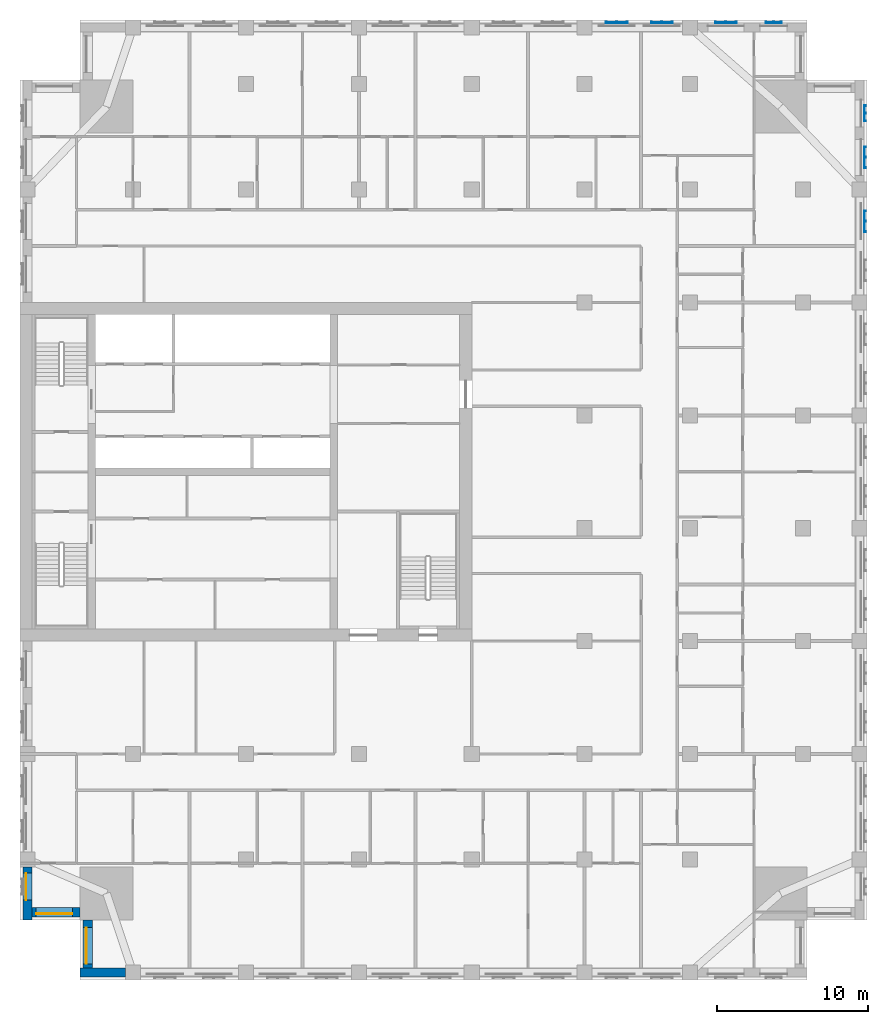
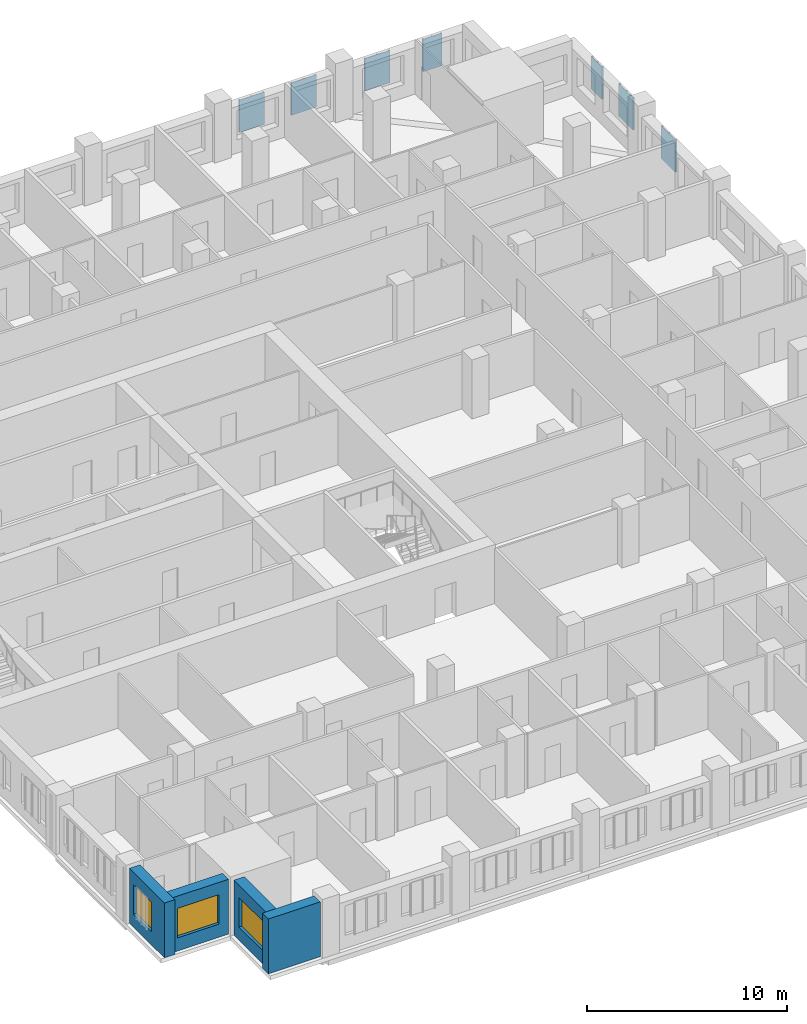
# One storey, part 3 of 14: 7 plates, 4 walls, 3 windows, 3 openings.
"""IFC4 building model written with IfcOpenShell, lengths in metres."""

from ifc_helpers import new_model, si_unit, direction, frame, frame_2d, origin, place, context, subcontext, project, spatial, polyline, rectangle, outline, extrude, material, layer, layer_set, type_object, element, fill, save


model = new_model("IFC4")

# Units and contexts
model_context = context("Model", 3, precision=1e-05, world=origin(), true_north=direction((0.0, 1.0)))
body_context = subcontext(model_context, "Body", "Model", "MODEL_VIEW")
ifc_project = project(units=[si_unit("LENGTHUNIT", "METRE"), si_unit("AREAUNIT", "SQUARE_METRE"), si_unit("VOLUMEUNIT", "CUBIC_METRE"), si_unit("PLANEANGLEUNIT", "RADIAN"), si_unit("MASSUNIT", "GRAM", prefix="KILO")], contexts=[model_context])

# Site, building, storey
site_placement = place(None, origin())
site = spatial("IfcSite", under=ifc_project, at=site_placement, CompositionType="ELEMENT")
building_placement = place(site_placement, origin())
building = spatial("IfcBuilding", under=site, at=building_placement, Name="Tamorin Gate", CompositionType="ELEMENT")
storey_placement = place(building_placement, frame((0.0, 0.0, 133.800048828125)))
storey = spatial("IfcBuildingStorey", under=building, at=storey_placement, Name="L32", CompositionType="ELEMENT", Elevation=133.800048828125)

# Plates
ifc_material_1 = material(Name="Perforated pale aluminium sheet", Category="aluminium")
ifc_layer_1 = layer(ifc_material_1, 0.0400390625)
ifc_layer_set_1 = layer_set([ifc_layer_1], Name="Pale metal solar screen 1080")
plate_type_1 = type_object("IfcPlateType", Name="Pale metal solar screen 1080", PredefinedType="SHEET", material=ifc_layer_set_1)
plate_1_placement = place(storey_placement, frame((0.0, 0.0, 0.7099609375)))
element("IfcPlate", 1, at=plate_1_placement, inside=storey, type_object=plate_type_1, Name="Perforated solar screen", PredefinedType="SHEET", context=body_context, shape_type="SweptSolid", body=[
    extrude(outline(polyline([(86.090087890625, 94.510009765625), (86.050048828125, 94.510009765625), (86.050048828125, 94.570068359375), (86.050048828125, 95.02001953125), (86.050048828125, 95.080078125), (86.050048828125, 95.530029296875), (86.050048828125, 95.590087890625), (86.090087890625, 95.590087890625), (86.14990234375, 95.590087890625), (86.14990234375, 95.530029296875), (86.090087890625, 95.530029296875), (86.090087890625, 95.080078125), (86.14990234375, 95.080078125), (86.14990234375, 95.02001953125), (86.090087890625, 95.02001953125), (86.090087890625, 94.570068359375), (86.14990234375, 94.570068359375), (86.14990234375, 94.510009765625), (86.090087890625, 94.510009765625)])), origin(), (0.0, 0.0, 1.0), 1.97998046875),
])
plate_2_placement = place(storey_placement, frame((0.0, 0.0, 0.7099609375)))
element("IfcPlate", 2, at=plate_2_placement, inside=storey, type_object=plate_type_1, Name="Perforated solar screen", PredefinedType="SHEET", context=body_context, shape_type="SweptSolid", body=[
    extrude(outline(polyline([(80.590087890625, 101.090087890625), (80.590087890625, 101.050048828125), (80.530029296875, 101.050048828125), (80.080078125, 101.050048828125), (80.02001953125, 101.050048828125), (79.570068359375, 101.050048828125), (79.510009765625, 101.050048828125), (79.510009765625, 101.090087890625), (79.510009765625, 101.14990234375), (79.570068359375, 101.14990234375), (79.570068359375, 101.090087890625), (80.02001953125, 101.090087890625), (80.02001953125, 101.14990234375), (80.080078125, 101.14990234375), (80.080078125, 101.090087890625), (80.530029296875, 101.090087890625), (80.530029296875, 101.14990234375), (80.590087890625, 101.14990234375), (80.590087890625, 101.090087890625)])), origin(), (0.0, 0.0, 1.0), 1.97998046875),
])
ifc_layer_2 = layer(ifc_material_1, 0.0400390625)
ifc_layer_set_2 = layer_set([ifc_layer_2], Name="Pale metal solar screen 1440")
plate_type_2 = type_object("IfcPlateType", Name="Pale metal solar screen 1440", PredefinedType="SHEET", material=ifc_layer_set_2)
plate_3_placement = place(storey_placement, frame((0.0, 0.0, 0.7099609375)))
element("IfcPlate", 3, at=plate_3_placement, inside=storey, type_object=plate_type_2, Name="Perforated solar screen", PredefinedType="SHEET", context=body_context, shape_type="SweptSolid", body=[
    extrude(outline(polyline([(86.090087890625, 87.155029296875), (86.050048828125, 87.155029296875), (86.050048828125, 87.215087890625), (86.050048828125, 87.844970703125), (86.050048828125, 87.905029296875), (86.050048828125, 88.534912109375), (86.050048828125, 88.594970703125), (86.090087890625, 88.594970703125), (86.14990234375, 88.594970703125), (86.14990234375, 88.534912109375), (86.090087890625, 88.534912109375), (86.090087890625, 87.905029296875), (86.14990234375, 87.905029296875), (86.14990234375, 87.844970703125), (86.090087890625, 87.844970703125), (86.090087890625, 87.215087890625), (86.14990234375, 87.215087890625), (86.14990234375, 87.155029296875), (86.090087890625, 87.155029296875)])), origin(), (0.0, 0.0, 1.0), 1.97998046875),
])
plate_4_placement = place(storey_placement, frame((0.0, 0.0, 0.7099609375)))
element("IfcPlate", 4, at=plate_4_placement, inside=storey, type_object=plate_type_2, Name="Perforated solar screen", PredefinedType="SHEET", context=body_context, shape_type="SweptSolid", body=[
    extrude(outline(polyline([(86.090087890625, 91.405029296875), (86.050048828125, 91.405029296875), (86.050048828125, 91.465087890625), (86.050048828125, 92.094970703125), (86.050048828125, 92.155029296875), (86.050048828125, 92.784912109375), (86.050048828125, 92.844970703125), (86.090087890625, 92.844970703125), (86.14990234375, 92.844970703125), (86.14990234375, 92.784912109375), (86.090087890625, 92.784912109375), (86.090087890625, 92.155029296875), (86.14990234375, 92.155029296875), (86.14990234375, 92.094970703125), (86.090087890625, 92.094970703125), (86.090087890625, 91.465087890625), (86.14990234375, 91.465087890625), (86.14990234375, 91.405029296875), (86.090087890625, 91.405029296875)])), origin(), (0.0, 0.0, 1.0), 1.97998046875),
])
plate_5_placement = place(storey_placement, frame((0.0, 0.0, 0.7099609375)))
element("IfcPlate", 5, at=plate_5_placement, inside=storey, type_object=plate_type_2, Name="Perforated solar screen", PredefinedType="SHEET", context=body_context, shape_type="SweptSolid", body=[
    extrude(outline(polyline([(77.594970703125, 101.090087890625), (77.594970703125, 101.050048828125), (77.534912109375, 101.050048828125), (76.905029296875, 101.050048828125), (76.844970703125, 101.050048828125), (76.215087890625, 101.050048828125), (76.155029296875, 101.050048828125), (76.155029296875, 101.050048828125), (76.155029296875, 101.090087890625), (76.155029296875, 101.090087890625), (76.155029296875, 101.14990234375), (76.215087890625, 101.14990234375), (76.215087890625, 101.090087890625), (76.844970703125, 101.090087890625), (76.844970703125, 101.14990234375), (76.905029296875, 101.14990234375), (76.905029296875, 101.090087890625), (77.534912109375, 101.090087890625), (77.534912109375, 101.14990234375), (77.594970703125, 101.14990234375), (77.594970703125, 101.090087890625)])), origin(), (0.0, 0.0, 1.0), 1.97998046875),
])
plate_6_placement = place(storey_placement, frame((0.0, 0.0, 0.7099609375)))
element("IfcPlate", 6, at=plate_6_placement, inside=storey, type_object=plate_type_2, Name="Perforated solar screen", PredefinedType="SHEET", context=body_context, shape_type="SweptSolid", body=[
    extrude(outline(polyline([(70.344970703125, 101.090087890625), (70.344970703125, 101.050048828125), (70.284912109375, 101.050048828125), (69.655029296875, 101.050048828125), (69.594970703125, 101.050048828125), (68.965087890625, 101.050048828125), (68.905029296875, 101.050048828125), (68.905029296875, 101.090087890625), (68.905029296875, 101.14990234375), (68.965087890625, 101.14990234375), (68.965087890625, 101.090087890625), (69.594970703125, 101.090087890625), (69.594970703125, 101.14990234375), (69.655029296875, 101.14990234375), (69.655029296875, 101.090087890625), (70.284912109375, 101.090087890625), (70.284912109375, 101.14990234375), (70.344970703125, 101.14990234375), (70.344970703125, 101.090087890625)])), origin(), (0.0, 0.0, 1.0), 1.97998046875),
])
plate_7_placement = place(storey_placement, frame((0.0, 0.0, 0.7099609375)))
element("IfcPlate", 7, at=plate_7_placement, inside=storey, type_object=plate_type_2, Name="Perforated solar screen", PredefinedType="SHEET", context=body_context, shape_type="SweptSolid", body=[
    extrude(outline(polyline([(73.344970703125, 101.090087890625), (73.344970703125, 101.050048828125), (73.284912109375, 101.050048828125), (72.655029296875, 101.050048828125), (72.594970703125, 101.050048828125), (71.965087890625, 101.050048828125), (71.905029296875, 101.050048828125), (71.905029296875, 101.090087890625), (71.905029296875, 101.14990234375), (71.965087890625, 101.14990234375), (71.965087890625, 101.090087890625), (72.594970703125, 101.090087890625), (72.594970703125, 101.14990234375), (72.655029296875, 101.14990234375), (72.655029296875, 101.090087890625), (73.284912109375, 101.090087890625), (73.284912109375, 101.14990234375), (73.344970703125, 101.14990234375), (73.344970703125, 101.090087890625)])), origin(), (0.0, 0.0, 1.0), 1.97998046875),
])

# Wall
ifc_material_2 = material(Name="Precast concrete C40/50", Category="concrete")
ifc_layer_3 = layer(ifc_material_2, 0.60009765625)
ifc_layer_set_3 = layer_set([ifc_layer_3], Name="Precast concrete C40/50")
wall_type = type_object("IfcWallType", Name="Board-marked concrete facade panel 600", PredefinedType="SOLIDWALL", material=ifc_layer_set_3)
wall_1_placement = place(storey_placement, frame((34.0, 38.0, 0.0), z_axis=(0.0, 0.0, 1.0), x_axis=(1.0, 0.0, 0.0)))
element("IfcWall", 8, at=wall_1_placement, inside=storey, type_object=wall_type, Name="Facade panel", PredefinedType="SOLIDWALL", context=body_context, shape_type="SweptSolid", body=[
    extrude(rectangle(XDim=3.0, YDim=0.60009765625, at=frame_2d((1.5, 0.0))), origin(), (0.0, 0.0, 1.0), 3.349853515625),
])

# Wall, opening, window
wall_2_placement = place(storey_placement, frame((30.5, 45.0, 0.0), z_axis=(0.0, 0.0, 1.0), x_axis=(0.0, -1.0, 0.0)))
wall_2 = element("IfcWall", 9, at=wall_2_placement, inside=storey, type_object=wall_type, Name="Facade panel", PredefinedType="SOLIDWALL", context=body_context, shape_type="SweptSolid", body=[
    extrude(rectangle(XDim=3.5, YDim=0.60009765625, at=frame_2d((1.75, 0.0))), origin(), (0.0, 0.0, 1.0), 3.349853515625),
])
opening_1_placement = place(wall_2_placement, frame((0.39990234375, 0.0, 0.800048828125)))
opening_1 = element("IfcOpeningElement", 10, at=opening_1_placement, cuts=wall_2, Name="Opening WN2", PredefinedType="OPENING", context=body_context, shape_type="SweptSolid", body=[
    extrude(rectangle(XDim=1.800048828125, YDim=1.800048828125, at=frame_2d((0.89990234375, 0.89990234375))), frame((0.0, 0.31005859375, 0.0), z_axis=(0.0, -1.0, 0.0), x_axis=(1.0, 0.0, 0.0)), (0.0, 0.0, 1.0), 0.6201171875),
])
ifc_material_3 = material(Name="Clear glass in aluminium frame", Category="aluminium")
window_type_1 = type_object("IfcWindowType", Name="Deep-set window 1800x1800", PartitioningType="SINGLE_PANEL", PredefinedType="WINDOW", material=ifc_material_3)
window_1_placement = place(opening_1_placement, origin())
window_1 = element("IfcWindow", 11, at=window_1_placement, inside=storey, type_object=window_type_1, Name="Deep-set window", OverallHeight=1.800048828125, OverallWidth=1.800048828125, PartitioningType="SINGLE_PANEL", PredefinedType="WINDOW", context=body_context, shape_type="SweptSolid", body=[
    extrude(rectangle(XDim=1.800048828125, YDim=1.800048828125, at=frame_2d((0.89990234375, 0.89990234375))), frame((0.0, -0.070068359375, 0.0), z_axis=(0.0, -1.0, 0.0), x_axis=(1.0, 0.0, 0.0)), (0.0, 0.0, 1.0), 0.06005859375),
])
fill(opening_1, window_1)

wall_3_placement = place(storey_placement, frame((30.800048828125, 42.0, 0.0), z_axis=(0.0, 0.0, 1.0), x_axis=(1.0, 0.0, 0.0)))
wall_3 = element("IfcWall", 12, at=wall_3_placement, inside=storey, type_object=wall_type, Name="Facade panel", PredefinedType="SOLIDWALL", context=body_context, shape_type="SweptSolid", body=[
    extrude(rectangle(XDim=3.199951171875, YDim=0.60009765625, at=frame_2d((1.60009765625, 0.0))), origin(), (0.0, 0.0, 1.0), 3.349853515625),
])
opening_2_placement = place(wall_3_placement, frame((0.27490234375, 0.0, 0.800048828125)))
opening_2 = element("IfcOpeningElement", 13, at=opening_2_placement, cuts=wall_3, Name="Opening WN1", PredefinedType="OPENING", context=body_context, shape_type="SweptSolid", body=[
    extrude(rectangle(XDim=2.39990234375, YDim=1.800048828125, at=frame_2d((1.199951171875, 0.89990234375))), frame((0.0, 0.31005859375, 0.0), z_axis=(0.0, -1.0, 0.0), x_axis=(1.0, 0.0, 0.0)), (0.0, 0.0, 1.0), 0.6201171875),
])
window_type_2 = type_object("IfcWindowType", Name="Deep-set window 2400x1800", PartitioningType="SINGLE_PANEL", PredefinedType="WINDOW", material=ifc_material_3)
window_2_placement = place(opening_2_placement, origin())
window_2 = element("IfcWindow", 14, at=window_2_placement, inside=storey, type_object=window_type_2, Name="Deep-set window", OverallHeight=1.800048828125, OverallWidth=2.39990234375, PartitioningType="SINGLE_PANEL", PredefinedType="WINDOW", context=body_context, shape_type="SweptSolid", body=[
    extrude(rectangle(XDim=2.39990234375, YDim=1.800048828125, at=frame_2d((1.199951171875, 0.89990234375))), frame((0.0, -0.070068359375, 0.0), z_axis=(0.0, -1.0, 0.0), x_axis=(1.0, 0.0, 0.0)), (0.0, 0.0, 1.0), 0.06005859375),
])
fill(opening_2, window_2)

wall_4_placement = place(storey_placement, frame((34.5, 41.5, 0.0), z_axis=(0.0, 0.0, 1.0), x_axis=(0.0, -1.0, 0.0)))
wall_4 = element("IfcWall", 15, at=wall_4_placement, inside=storey, type_object=wall_type, Name="Facade panel", PredefinedType="SOLIDWALL", context=body_context, shape_type="SweptSolid", body=[
    extrude(rectangle(XDim=3.199951171875, YDim=0.60009765625, at=frame_2d((1.60009765625, 0.0))), origin(), (0.0, 0.0, 1.0), 3.349853515625),
])
opening_3_placement = place(wall_4_placement, frame((0.52490234375, 0.0, 0.800048828125)))
opening_3 = element("IfcOpeningElement", 16, at=opening_3_placement, cuts=wall_4, Name="Opening WN1", PredefinedType="OPENING", context=body_context, shape_type="SweptSolid", body=[
    extrude(rectangle(XDim=2.39990234375, YDim=1.800048828125, at=frame_2d((1.199951171875, 0.89990234375))), frame((0.0, 0.31005859375, 0.0), z_axis=(0.0, -1.0, 0.0), x_axis=(1.0, 0.0, 0.0)), (0.0, 0.0, 1.0), 0.6201171875),
])
window_3_placement = place(opening_3_placement, origin())
window_3 = element("IfcWindow", 17, at=window_3_placement, inside=storey, type_object=window_type_2, Name="Deep-set window", OverallHeight=1.800048828125, OverallWidth=2.39990234375, PartitioningType="SINGLE_PANEL", PredefinedType="WINDOW", context=body_context, shape_type="SweptSolid", body=[
    extrude(rectangle(XDim=2.39990234375, YDim=1.800048828125, at=frame_2d((1.199951171875, 0.89990234375))), frame((0.0, -0.070068359375, 0.0), z_axis=(0.0, -1.0, 0.0), x_axis=(1.0, 0.0, 0.0)), (0.0, 0.0, 1.0), 0.06005859375),
])
fill(opening_3, window_3)

save(model, "model.ifc")
